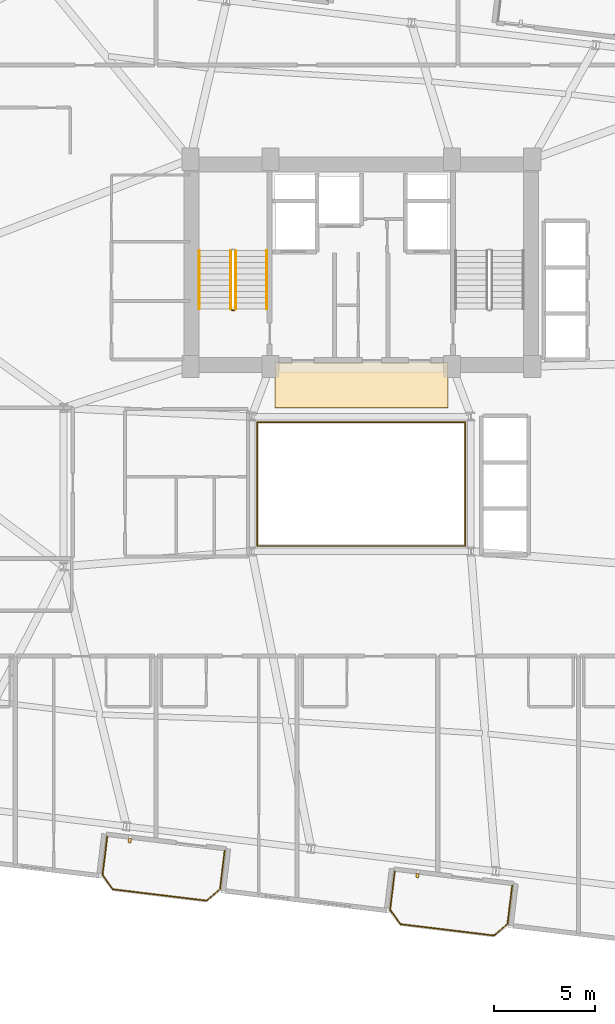
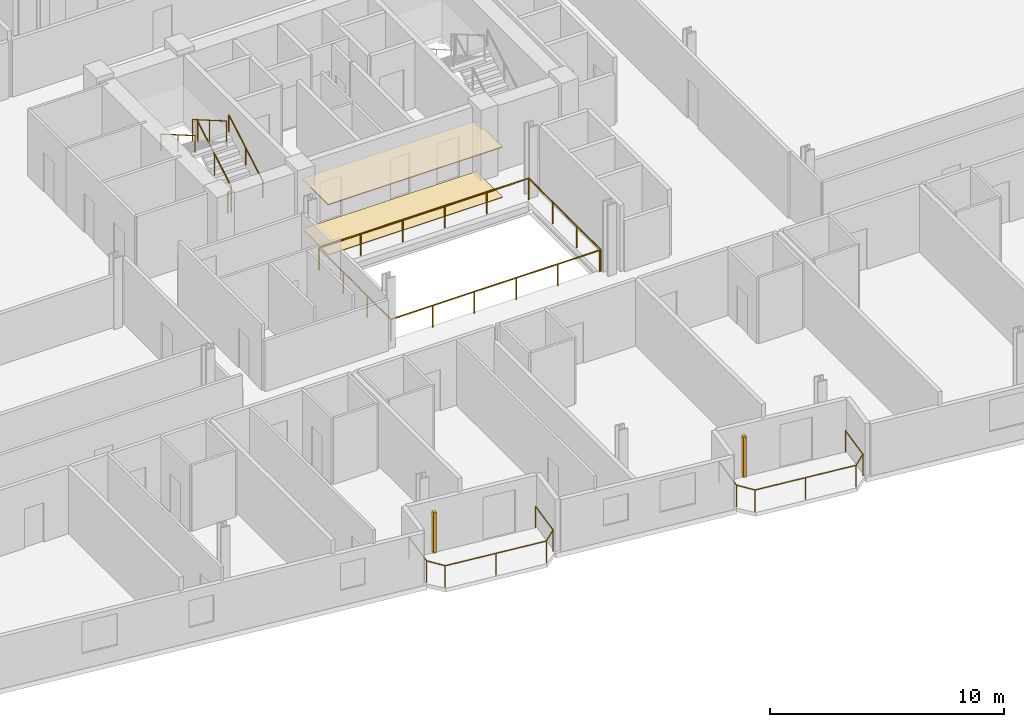
# One storey, part 25 of 26: 9 railings, 2 coverings, 2 shading devices.
"""IFC4 building model written with IfcOpenShell, lengths in metres."""

from ifc_helpers import new_model, si_unit, direction, frame, origin, origin_2d, place, context, subcontext, project, spatial, rectangle, circle, extrude, source, transform, mapped, material, layer, layer_set, type_object, element, save


model = new_model("IFC4")

# Units and contexts
model_context = context("Model", 3, precision=1e-05, world=origin(), true_north=direction((0.0, 1.0)))
body_context = subcontext(model_context, "Body", "Model", "MODEL_VIEW")
ifc_project = project(units=[si_unit("LENGTHUNIT", "METRE"), si_unit("AREAUNIT", "SQUARE_METRE"), si_unit("VOLUMEUNIT", "CUBIC_METRE"), si_unit("PLANEANGLEUNIT", "RADIAN"), si_unit("MASSUNIT", "GRAM", prefix="KILO")], contexts=[model_context])

# Site, building, storey
site_placement = place(None, origin())
site = spatial("IfcSite", under=ifc_project, at=site_placement, CompositionType="ELEMENT")
building_placement = place(site_placement, origin())
building = spatial("IfcBuilding", under=site, at=building_placement, Name="Varnelok Gate Tower", CompositionType="ELEMENT")
storey_placement = place(building_placement, frame((0.0, 0.0, 155.0)))
storey = spatial("IfcBuildingStorey", under=building, at=storey_placement, Name="L39", CompositionType="ELEMENT", Elevation=155.0)

# Railings
ifc_material_1 = material(Name="Tempered Laminated Balustrade Glass", Category="glass")
railing_type_1 = type_object("IfcRailingType", Name="RL-ATR-GUARD1150", PredefinedType="GUARDRAIL", material=ifc_material_1)
railing_1_placement = place(storey_placement, frame((34.02001953125, 25.929931640625, 0.0)))
element("IfcRailing", 1, at=railing_1_placement, inside=storey, type_object=railing_type_1, Name="L39 Internal Atrium South-West Guardrail", PredefinedType="GUARDRAIL", context=body_context, shape_type="SweptSolid", body=[
    extrude(circle(Radius=0.02392578125, at=origin_2d()), frame((0.0, 0.0, 1.1259765625), z_axis=(0.0, -1.0, 0.0), x_axis=(1.0, 0.0, 0.0)), (0.0, 0.0, 1.0), 6.10986328125),
    extrude(circle(Radius=0.02392578125, at=origin_2d()), frame((0.0, -6.10986328125, 1.1259765625), z_axis=(1.0, 0.0, 0.0), x_axis=(0.0, 1.0, 0.0)), (0.0, 0.0, 1.0), 10.31005859375),
    extrude(circle(Radius=0.02099609375, at=origin_2d()), origin(), (0.0, 0.0, 1.0), 1.101806640625),
    extrude(circle(Radius=0.02099609375, at=origin_2d()), frame((0.0, -2.03662109375, 0.0)), (0.0, 0.0, 1.0), 1.101806640625),
    extrude(circle(Radius=0.02099609375, at=origin_2d()), frame((0.0, -4.0732421875, 0.0)), (0.0, 0.0, 1.0), 1.101806640625),
    extrude(circle(Radius=0.02099609375, at=origin_2d()), frame((0.0, -6.10986328125, 0.0)), (0.0, 0.0, 1.0), 1.101806640625),
    extrude(circle(Radius=0.02099609375, at=origin_2d()), frame((2.06201171875, -6.10986328125, 0.0)), (0.0, 0.0, 1.0), 1.101806640625),
    extrude(circle(Radius=0.02099609375, at=origin_2d()), frame((4.1240234375, -6.10986328125, 0.0)), (0.0, 0.0, 1.0), 1.101806640625),
    extrude(circle(Radius=0.02099609375, at=origin_2d()), frame((6.18603515625, -6.10986328125, 0.0)), (0.0, 0.0, 1.0), 1.101806640625),
    extrude(circle(Radius=0.02099609375, at=origin_2d()), frame((8.248046875, -6.10986328125, 0.0)), (0.0, 0.0, 1.0), 1.101806640625),
    extrude(circle(Radius=0.02099609375, at=origin_2d()), frame((10.31005859375, -6.10986328125, 0.0)), (0.0, 0.0, 1.0), 1.101806640625),
])
railing_2_placement = place(storey_placement, frame((44.3798828125, 19.820068359375, 0.0)))
element("IfcRailing", 2, at=railing_2_placement, inside=storey, type_object=railing_type_1, Name="L39 Internal Atrium North-East Guardrail", PredefinedType="GUARDRAIL", context=body_context, shape_type="SweptSolid", body=[
    extrude(circle(Radius=0.02392578125, at=origin_2d()), frame((0.0, 0.0, 1.1259765625), z_axis=(0.0, 1.0, 0.0), x_axis=(-1.0, 0.0, 0.0)), (0.0, 0.0, 1.0), 6.159912109375),
    extrude(circle(Radius=0.02392578125, at=origin_2d()), frame((0.0, 6.159912109375, 1.1259765625), z_axis=(-1.0, 0.0, 0.0), x_axis=(0.0, -1.0, 0.0)), (0.0, 0.0, 1.0), 10.35986328125),
    extrude(circle(Radius=0.02099609375, at=origin_2d()), origin(), (0.0, 0.0, 1.0), 1.101806640625),
    extrude(circle(Radius=0.02099609375, at=origin_2d()), frame((0.0, 2.05322265625, 0.0)), (0.0, 0.0, 1.0), 1.101806640625),
    extrude(circle(Radius=0.02099609375, at=origin_2d()), frame((0.0, 4.106689453125, 0.0)), (0.0, 0.0, 1.0), 1.101806640625),
    extrude(circle(Radius=0.02099609375, at=origin_2d()), frame((0.0, 6.159912109375, 0.0)), (0.0, 0.0, 1.0), 1.101806640625),
    extrude(circle(Radius=0.02099609375, at=origin_2d()), frame((-2.072021484375, 6.159912109375, 0.0)), (0.0, 0.0, 1.0), 1.101806640625),
    extrude(circle(Radius=0.02099609375, at=origin_2d()), frame((-4.14404296875, 6.159912109375, 0.0)), (0.0, 0.0, 1.0), 1.101806640625),
    extrude(circle(Radius=0.02099609375, at=origin_2d()), frame((-6.2158203125, 6.159912109375, 0.0)), (0.0, 0.0, 1.0), 1.101806640625),
    extrude(circle(Radius=0.02099609375, at=origin_2d()), frame((-8.287841796875, 6.159912109375, 0.0)), (0.0, 0.0, 1.0), 1.101806640625),
    extrude(circle(Radius=0.02099609375, at=origin_2d()), frame((-10.35986328125, 6.159912109375, 0.0)), (0.0, 0.0, 1.0), 1.101806640625),
])
ifc_material_2 = material(Name="Low-E Laminated Double Glazing IGU", Category="glass")
railing_type_2 = type_object("IfcRailingType", Name="RL-BALC-1150", PredefinedType="BALUSTRADE", material=ifc_material_2)
railing_3_placement = place(storey_placement, frame((26.5703125, 5.375, 0.0)))
element("IfcRailing", 3, at=railing_3_placement, inside=storey, type_object=railing_type_2, Name="L39 South Terrace Balustrade 1", PredefinedType="BALUSTRADE", context=body_context, shape_type="SweptSolid", body=[
    extrude(circle(Radius=0.02392578125, at=origin_2d()), frame((0.0, 0.0, 1.1259765625), z_axis=(-0.120293392036, -0.992738384386, 0.0), x_axis=(0.992738384386, -0.120293392036, 0.0)), (0.0, 0.0, 1.0), 1.919921875),
    extrude(circle(Radius=0.02392578125, at=origin_2d()), frame((-0.23095703125, -1.906005859375, 1.1259765625), z_axis=(0.577971037086, -0.816057277579, 0.0), x_axis=(0.816057277579, 0.577971037086, 0.0)), (0.0, 0.0, 1.0), 0.877685546875),
    extrude(circle(Radius=0.02392578125, at=origin_2d()), frame((0.2763671875, -2.622314453125, 1.1259765625), z_axis=(0.992737542139, -0.120300342591, 0.0), x_axis=(0.120300342591, 0.992737542139, 0.0)), (0.0, 0.0, 1.0), 4.7001953125),
    extrude(circle(Radius=0.02392578125, at=origin_2d()), frame((4.9423828125, -3.187744140625, 1.1259765625), z_axis=(0.756303655992, 0.654220742513, 0.0), x_axis=(-0.654220742513, 0.756303655992, 0.0)), (0.0, 0.0, 1.0), 0.877685546875),
    extrude(circle(Radius=0.02392578125, at=origin_2d()), frame((5.606201171875, -2.613525390625, 1.1259765625), z_axis=(0.120418709125, 0.992723191274, 0.0), x_axis=(-0.992723191274, 0.120418709125, 0.0)), (0.0, 0.0, 1.0), 1.919921875),
    extrude(circle(Radius=0.02099609375, at=origin_2d()), origin(), (0.0, 0.0, 1.0), 1.101806640625),
    extrude(circle(Radius=0.02099609375, at=origin_2d()), frame((-0.23095703125, -1.906005859375, 0.0)), (0.0, 0.0, 1.0), 1.101806640625),
    extrude(circle(Radius=0.02099609375, at=origin_2d()), frame((0.2763671875, -2.622314453125, 0.0)), (0.0, 0.0, 1.0), 1.101806640625),
    extrude(circle(Radius=0.02099609375, at=origin_2d()), frame((2.609375, -2.905029296875, 0.0)), (0.0, 0.0, 1.0), 1.101806640625),
    extrude(circle(Radius=0.02099609375, at=origin_2d()), frame((4.9423828125, -3.187744140625, 0.0)), (0.0, 0.0, 1.0), 1.101806640625),
    extrude(circle(Radius=0.02099609375, at=origin_2d()), frame((5.606201171875, -2.613525390625, 0.0)), (0.0, 0.0, 1.0), 1.101806640625),
    extrude(circle(Radius=0.02099609375, at=origin_2d()), frame((5.83740234375, -0.70751953125, 0.0)), (0.0, 0.0, 1.0), 1.101806640625),
])
railing_4_placement = place(storey_placement, frame((40.86572265625, 3.64208984375, 0.0)))
element("IfcRailing", 4, at=railing_4_placement, inside=storey, type_object=railing_type_2, Name="L39 South Terrace Balustrade 2", PredefinedType="BALUSTRADE", context=body_context, shape_type="SweptSolid", body=[
    extrude(circle(Radius=0.02392578125, at=origin_2d()), frame((0.0, 0.0, 1.1259765625), z_axis=(-0.120418709125, -0.992723191274, 0.0), x_axis=(0.992723191274, -0.120418709125, 0.0)), (0.0, 0.0, 1.0), 1.919921875),
    extrude(circle(Radius=0.02392578125, at=origin_2d()), frame((-0.231201171875, -1.906005859375, 1.1259765625), z_axis=(0.57815621837, -0.815926091726, 0.0), x_axis=(0.815926091726, 0.57815621837, 0.0)), (0.0, 0.0, 1.0), 0.8779296875),
    extrude(circle(Radius=0.02392578125, at=origin_2d()), frame((0.2763671875, -2.622314453125, 1.1259765625), z_axis=(0.99273133746, -0.120351533534, 0.0), x_axis=(0.120351533534, 0.99273133746, 0.0)), (0.0, 0.0, 1.0), 4.7001953125),
    extrude(circle(Radius=0.02392578125, at=origin_2d()), frame((4.9423828125, -3.18798828125, 1.1259765625), z_axis=(0.756166036083, 0.654379802465, 0.0), x_axis=(-0.654379802465, 0.756166036083, 0.0)), (0.0, 0.0, 1.0), 0.8779296875),
    extrude(circle(Radius=0.02392578125, at=origin_2d()), frame((5.606201171875, -2.613525390625, 1.1259765625), z_axis=(0.120293392036, 0.992738384386, 0.0), x_axis=(-0.992738384386, 0.120293392036, 0.0)), (0.0, 0.0, 1.0), 1.919921875),
    extrude(circle(Radius=0.02099609375, at=origin_2d()), origin(), (0.0, 0.0, 1.0), 1.101806640625),
    extrude(circle(Radius=0.02099609375, at=origin_2d()), frame((-0.231201171875, -1.906005859375, 0.0)), (0.0, 0.0, 1.0), 1.101806640625),
    extrude(circle(Radius=0.02099609375, at=origin_2d()), frame((0.2763671875, -2.622314453125, 0.0)), (0.0, 0.0, 1.0), 1.101806640625),
    extrude(circle(Radius=0.02099609375, at=origin_2d()), frame((2.609375, -2.9052734375, 0.0)), (0.0, 0.0, 1.0), 1.101806640625),
    extrude(circle(Radius=0.02099609375, at=origin_2d()), frame((4.9423828125, -3.18798828125, 0.0)), (0.0, 0.0, 1.0), 1.101806640625),
    extrude(circle(Radius=0.02099609375, at=origin_2d()), frame((5.606201171875, -2.613525390625, 0.0)), (0.0, 0.0, 1.0), 1.101806640625),
    extrude(circle(Radius=0.02099609375, at=origin_2d()), frame((5.837158203125, -0.70751953125, 0.0)), (0.0, 0.0, 1.0), 1.101806640625),
])
ifc_material_3 = material(Name="Brushed Stainless Steel AISI 316", Category="steel")
railing_type_3 = type_object("IfcRailingType", Name="RL-HANDRAIL-900", PredefinedType="HANDRAIL", material=ifc_material_3)
railing_5_placement = place(storey_placement, frame((34.5, 31.60009765625, 0.168212890625)))
element("IfcRailing", 5, at=railing_5_placement, inside=storey, type_object=railing_type_3, Name="L39 ST-1 stair handrail 1", PredefinedType="HANDRAIL", context=body_context, shape_type="SweptSolid", body=[
    extrude(circle(Radius=0.02392578125, at=origin_2d()), frame((0.0, 0.0, 0.8759765625), z_axis=(0.0, 0.865038774852, 0.501705010941), x_axis=(-1.0, 0.0, 0.0)), (0.0, 0.0, 1.0), 3.352294921875),
    extrude(circle(Radius=0.02099609375, at=origin_2d()), origin(), (0.0, 0.0, 1.0), 0.851806640625),
    extrude(circle(Radius=0.02099609375, at=origin_2d()), frame((0.0, 1.449951171875, 0.8408203125)), (0.0, 0.0, 1.0), 0.851806640625),
    extrude(circle(Radius=0.02099609375, at=origin_2d()), frame((0.0, 2.89990234375, 1.681884765625)), (0.0, 0.0, 1.0), 0.851806640625),
])
railing_6_placement = place(storey_placement, frame((31.14990234375, 34.5, 2.01806640625)))
element("IfcRailing", 6, at=railing_6_placement, inside=storey, type_object=railing_type_3, Name="L39 ST-1 stair handrail 2", PredefinedType="HANDRAIL", context=body_context, shape_type="SweptSolid", body=[
    extrude(circle(Radius=0.02392578125, at=origin_2d()), frame((0.0, 0.0, 0.8759765625), z_axis=(0.0, -0.865038774852, 0.501705010941), x_axis=(1.0, 0.0, 0.0)), (0.0, 0.0, 1.0), 3.352294921875),
    extrude(circle(Radius=0.02099609375, at=origin_2d()), origin(), (0.0, 0.0, 1.0), 0.851806640625),
    extrude(circle(Radius=0.02099609375, at=origin_2d()), frame((0.0, -1.449951171875, 0.8408203125)), (0.0, 0.0, 1.0), 0.851806640625),
    extrude(circle(Radius=0.02099609375, at=origin_2d()), frame((0.0, -2.89990234375, 1.681884765625)), (0.0, 0.0, 1.0), 0.851806640625),
])
ifc_material_4 = material(Name="Galvanized Steel Grade S350GD", Category="steel")
railing_type_4 = type_object("IfcRailingType", Name="RL-STAIR-GUARD1120", PredefinedType="GUARDRAIL", material=ifc_material_4)
railing_7_placement = place(storey_placement, frame((32.949951171875, 31.60009765625, 0.168212890625)))
element("IfcRailing", 7, at=railing_7_placement, inside=storey, type_object=railing_type_4, Name="L39 ST-1 stair guard 1", PredefinedType="GUARDRAIL", context=body_context, shape_type="SweptSolid", body=[
    extrude(circle(Radius=0.02392578125, at=origin_2d()), frame((0.0, 0.0, 1.09619140625), z_axis=(0.0, 0.865038774852, 0.501705010941), x_axis=(-1.0, 0.0, 0.0)), (0.0, 0.0, 1.0), 3.352294921875),
    extrude(circle(Radius=0.02099609375, at=origin_2d()), origin(), (0.0, 0.0, 1.0), 1.072021484375),
    extrude(circle(Radius=0.02099609375, at=origin_2d()), frame((0.0, 1.449951171875, 0.8408203125)), (0.0, 0.0, 1.0), 1.072021484375),
    extrude(circle(Radius=0.02099609375, at=origin_2d()), frame((0.0, 2.89990234375, 1.681884765625)), (0.0, 0.0, 1.0), 1.072021484375),
])
railing_8_placement = place(storey_placement, frame((32.699951171875, 34.5, 2.01806640625)))
element("IfcRailing", 8, at=railing_8_placement, inside=storey, type_object=railing_type_4, Name="L39 ST-1 stair guard 3", PredefinedType="GUARDRAIL", context=body_context, shape_type="SweptSolid", body=[
    extrude(circle(Radius=0.02392578125, at=origin_2d()), frame((0.0, 0.0, 1.09619140625), z_axis=(0.0, -0.865038774852, 0.501705010941), x_axis=(1.0, 0.0, 0.0)), (0.0, 0.0, 1.0), 3.352294921875),
    extrude(circle(Radius=0.02099609375, at=origin_2d()), origin(), (0.0, 0.0, 1.0), 1.072021484375),
    extrude(circle(Radius=0.02099609375, at=origin_2d()), frame((0.0, -1.449951171875, 0.8408203125)), (0.0, 0.0, 1.0), 1.072021484375),
    extrude(circle(Radius=0.02099609375, at=origin_2d()), frame((0.0, -2.89990234375, 1.681884765625)), (0.0, 0.0, 1.0), 1.072021484375),
])
railing_9_placement = place(storey_placement, frame((32.89990234375, 31.550048828125, 0.0)))
element("IfcRailing", 9, at=railing_9_placement, inside=storey, type_object=railing_type_4, Name="L39 ST-1 stair guard 4", PredefinedType="GUARDRAIL", context=body_context, shape_type="SweptSolid", body=[
    extrude(circle(Radius=0.02392578125, at=origin_2d()), frame((0.0, 0.0, 1.09619140625), z_axis=(-1.0, 0.0, 0.0), x_axis=(0.0, -1.0, 0.0)), (0.0, 0.0, 1.0), 0.14990234375),
    extrude(circle(Radius=0.02099609375, at=origin_2d()), origin(), (0.0, 0.0, 1.0), 1.072021484375),
    extrude(circle(Radius=0.02099609375, at=origin_2d()), frame((-0.14990234375, 0.0, 0.0)), (0.0, 0.0, 1.0), 1.072021484375),
])

# Shading devices
ifc_material_5 = material(Name="Glazed Architectural Terracotta Ceramic", Category="masonry")
shading_device_type = type_object("IfcShadingDeviceType", Name="SHD-TERRA-FIN", PredefinedType="USERDEFINED", material=ifc_material_5)
shared_shape_1 = source(origin(), body_context, "Body", "SweptSolid", [
    extrude(rectangle(XDim=0.139892578125, YDim=0.219970703125, at=origin_2d()), origin(), (0.0, 0.0, 1.0), 2.10009765625),
])
for number, where, z_axis, x_axis, name in (
    (10, (27.693603515625, 5.16845703125, 0.099853515625), (0.0, 0.0, 1.0), (0.992732158755, -0.12034475881, 0.0), "L39 Terracotta Ceramic Baguette Sunscreen 1.1"),
    (11, (41.989013671875, 3.435546875, 0.099853515625), (0.0, 0.0, 1.0), (0.992732158755, -0.12034475881, 0.0), "L39 Terracotta Ceramic Baguette Sunscreen 2.1"),
):
    element("IfcShadingDevice", number, at=place(storey_placement, frame(where, z_axis=z_axis, x_axis=x_axis)), inside=storey, type_object=shading_device_type, Name=name, ObjectType="BAGUETTE", PredefinedType="USERDEFINED", context=body_context, shape_type="MappedRepresentation", body=[
        mapped(shared_shape_1, transform((0.0, 0.0, 0.0), scale=1.0)),
    ])

# Coverings
ifc_material_6 = material(Name="Honed Travertine Stone Flooring", Category="masonry")
ifc_layer_1 = layer(ifc_material_6, 0.02490234375)
ifc_layer_set_1 = layer_set([ifc_layer_1], Name="Honed Travertine Stone Flooring")
covering_type_1 = type_object("IfcCoveringType", Name="COV-FLOR-STONE", PredefinedType="FLOORING", material=ifc_layer_set_1)
shared_shape_2 = source(origin(), body_context, "Body", "SweptSolid", [
    extrude(rectangle(XDim=8.60009765625, YDim=2.219970703125, at=origin_2d()), origin(), (0.0, 0.0, 1.0), 0.02490234375),
])
covering_1_placement = place(storey_placement, frame((39.199951171875, 27.800048828125, 0.0), z_axis=(0.0, 0.0, 1.0), x_axis=(1.0, 0.0, 0.0)))
element("IfcCovering", 12, at=covering_1_placement, inside=storey, type_object=covering_type_1, Name="L39 Core Gallery Stone Flooring", PredefinedType="FLOORING", context=body_context, shape_type="MappedRepresentation", body=[
    mapped(shared_shape_2, transform((0.0, 0.0, 0.0), scale=1.0)),
])
ifc_material_7 = material(Name="Mineral Fiber Acoustic Ceiling Tile")
ifc_layer_2 = layer(ifc_material_7, 0.0400390625)
ifc_layer_set_2 = layer_set([ifc_layer_2], Name="Mineral Fiber Acoustic Ceiling Tile")
covering_type_2 = type_object("IfcCoveringType", Name="COV-CEIL-ACOUST", PredefinedType="CEILING", material=ifc_layer_set_2)
shared_shape_3 = source(origin(), body_context, "Body", "SweptSolid", [
    extrude(rectangle(XDim=8.60009765625, YDim=2.239990234375, at=origin_2d()), origin(), (0.0, 0.0, 1.0), 0.0400390625),
])
covering_2_placement = place(storey_placement, frame((39.199951171875, 27.820068359375, 2.60009765625), z_axis=(0.0, 0.0, 1.0), x_axis=(1.0, 0.0, 0.0)))
element("IfcCovering", 13, at=covering_2_placement, inside=storey, type_object=covering_type_2, Name="L39 Core Gallery Acoustic Ceiling", PredefinedType="CEILING", context=body_context, shape_type="MappedRepresentation", body=[
    mapped(shared_shape_3, transform((0.0, 0.0, 0.0), scale=1.0)),
])

save(model, "model.ifc")
